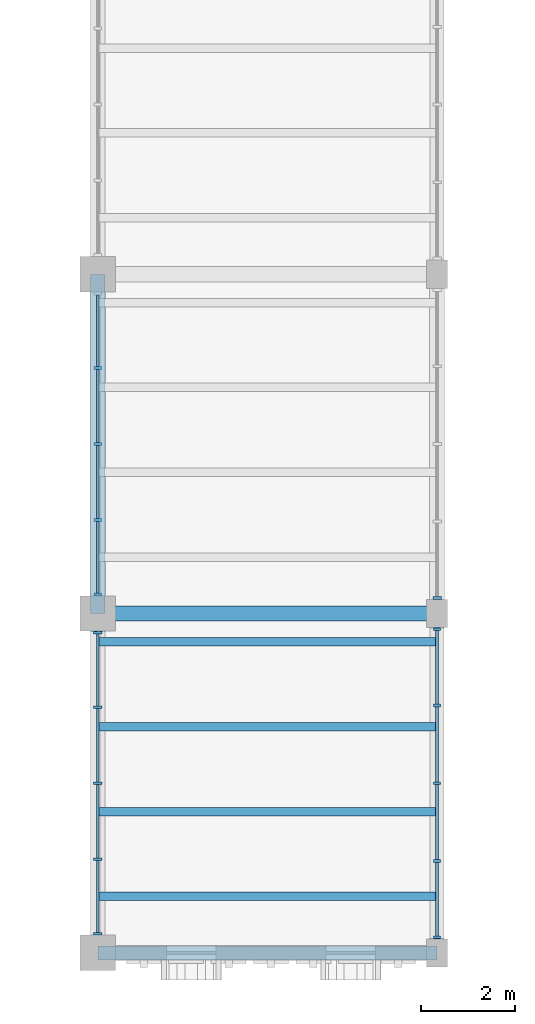
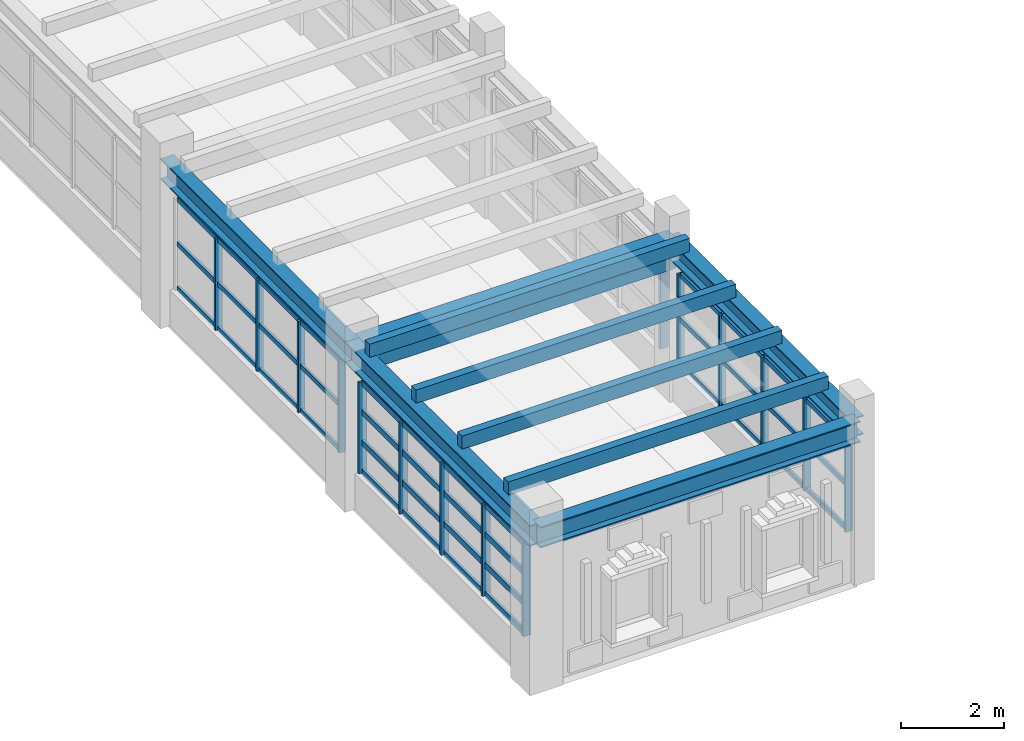
# One storey, part 3 of 69: 59 members, 5 beams, 4 elements without a shape of their own.
"""IFC4 building model written with IfcOpenShell, lengths in metres."""

from ifc_helpers import new_model, si_unit, direction, frame, origin, origin_2d, place, context, subcontext, project, spatial, rectangle, i_section, extrude, material, material_profile, profile_set, type_object, element, aggregate, save


model = new_model("IFC4")

# Units and contexts
model_context = context("Model", 3, precision=1e-05, world=origin(), true_north=direction((0.0, 1.0)))
body_context = subcontext(model_context, "Body", "Model", "MODEL_VIEW")
ifc_project = project(units=[si_unit("LENGTHUNIT", "METRE"), si_unit("AREAUNIT", "SQUARE_METRE"), si_unit("VOLUMEUNIT", "CUBIC_METRE"), si_unit("PLANEANGLEUNIT", "RADIAN"), si_unit("MASSUNIT", "GRAM", prefix="KILO")], contexts=[model_context])

# Site, building, storey
site_placement = place(None, origin())
site = spatial("IfcSite", under=ifc_project, at=site_placement, CompositionType="ELEMENT")
building_placement = place(site_placement, origin())
building = spatial("IfcBuilding", under=site, at=building_placement, Name="Nzembalo Square Collegiate School", CompositionType="ELEMENT")
storey_placement = place(building_placement, frame((0.0, 0.0, 5.10009765625)))
storey = spatial("IfcBuildingStorey", under=building, at=storey_placement, Name="L01", CompositionType="ELEMENT", Elevation=5.10009765625)

# Beams
ifc_material_1 = material(Name="Glulam GL32h", Category="wood")
ifc_material_profile_1 = material_profile(ifc_material_1, rectangle(XDim=0.320068359375, YDim=0.719970703125, at=origin_2d()), Name="GL32h 320x720")
ifc_profile_set_1 = profile_set([ifc_material_profile_1], Name="Glulam GL32h")
beam_type_1 = type_object("IfcBeamType", Name="B03", PredefinedType="BEAM", material=ifc_profile_set_1)
beam_1_placement = place(storey_placement, frame((30.0, 15.60009765625, 3.389892578125), z_axis=(1.0, 0.0, 0.0), x_axis=(0.0, 1.0, 0.0)))
element("IfcBeam", 1, at=beam_1_placement, inside=storey, type_object=beam_type_1, Name="Beam B03 L01", PredefinedType="BEAM", context=body_context, shape_type="SweptSolid", body=[
    extrude(rectangle(XDim=0.320068359375, YDim=0.719970703125, at=origin_2d()), origin(), (0.0, 0.0, 1.0), 7.199951171875),
])
ifc_material_2 = material(Name="Steel S355", Category="steel")
ifc_material_profile_2 = material_profile(ifc_material_2, i_section(OverallWidth=0.300048828125, OverallDepth=0.5, WebThickness=0.014404296875, FlangeThickness=0.028076171875, at=origin_2d()), Name="HEB 500")
ifc_profile_set_2 = profile_set([ifc_material_profile_2], Name="Steel S355")
beam_type_2 = type_object("IfcBeamType", Name="B07", PredefinedType="BEAM", material=ifc_profile_set_2)
beam_2_placement = place(storey_placement, frame((30.0, 8.39990234375, 3.5), z_axis=(1.0, 0.0, 0.0), x_axis=(0.0, 1.0, 0.0)))
element("IfcBeam", 2, at=beam_2_placement, inside=storey, type_object=beam_type_2, Name="Beam B07 L01", PredefinedType="BEAM", context=body_context, shape_type="SweptSolid", body=[
    extrude(i_section(OverallWidth=0.300048828125, OverallDepth=0.5, WebThickness=0.014404296875, FlangeThickness=0.028076171875, at=origin_2d()), origin(), (0.0, 0.0, 1.0), 7.199951171875),
])
beam_3_placement = place(storey_placement, frame((30.0, 8.39990234375, 3.5), z_axis=(0.0, 1.0, 0.0), x_axis=(-1.0, 0.0, 0.0)))
element("IfcBeam", 3, at=beam_3_placement, inside=storey, type_object=beam_type_2, Name="Beam B07 L01", PredefinedType="BEAM", context=body_context, shape_type="SweptSolid", body=[
    extrude(i_section(OverallWidth=0.300048828125, OverallDepth=0.5, WebThickness=0.014404296875, FlangeThickness=0.028076171875, at=origin_2d()), origin(), (0.0, 0.0, 1.0), 7.2001953125),
])
beam_4_placement = place(storey_placement, frame((30.0, 15.60009765625, 3.5), z_axis=(0.0, 1.0, 0.0), x_axis=(-1.0, 0.0, 0.0)))
element("IfcBeam", 4, at=beam_4_placement, inside=storey, type_object=beam_type_2, Name="Beam B07 L01", PredefinedType="BEAM", context=body_context, shape_type="SweptSolid", body=[
    extrude(i_section(OverallWidth=0.300048828125, OverallDepth=0.5, WebThickness=0.014404296875, FlangeThickness=0.028076171875, at=origin_2d()), origin(), (0.0, 0.0, 1.0), 7.199951171875),
])
ifc_material_3 = material(Name="Steel S355", Category="steel")
ifc_material_profile_3 = material_profile(ifc_material_3, i_section(OverallWidth=0.300048828125, OverallDepth=0.449951171875, WebThickness=0.013916015625, FlangeThickness=0.02587890625, at=origin_2d()), Name="HEB 450")
ifc_profile_set_3 = profile_set([ifc_material_profile_3], Name="Steel S355")
beam_type_3 = type_object("IfcBeamType", Name="B08", PredefinedType="BEAM", material=ifc_profile_set_3)
beam_5_placement = place(storey_placement, frame((37.199951171875, 8.39990234375, 3.52490234375), z_axis=(0.0, 1.0, 0.0), x_axis=(-1.0, 0.0, 0.0)))
element("IfcBeam", 5, at=beam_5_placement, inside=storey, type_object=beam_type_3, Name="Beam B08 L01", PredefinedType="BEAM", context=body_context, shape_type="SweptSolid", body=[
    extrude(i_section(OverallWidth=0.300048828125, OverallDepth=0.449951171875, WebThickness=0.013916015625, FlangeThickness=0.02587890625, at=origin_2d()), origin(), (0.0, 0.0, 1.0), 7.2001953125),
])

# Curtain wall, member
ifc_material_4 = material(Name="Aluminium 6060-T66", Category="aluminium")
curtain_wall_type_1 = type_object("IfcCurtainWallType", Name="CW-01", PredefinedType="USERDEFINED", material=ifc_material_4)
curtain_wall_1_placement = place(storey_placement, origin())
curtain_wall_1 = element("IfcCurtainWall", 6, at=curtain_wall_1_placement, inside=storey, type_object=curtain_wall_type_1, Name="Curtain wall CW-01 cw:L01:040", ObjectType="UNITISED", PredefinedType="USERDEFINED")
ifc_material_5 = material(Name="Aluminium 6060-T66", Category="aluminium")
ifc_material_profile_4 = material_profile(ifc_material_5, rectangle(XDim=0.06005859375, YDim=0.179931640625, at=origin_2d()), Name="ALU M60x180")
ifc_profile_set_4 = profile_set([ifc_material_profile_4], Name="Aluminium 6060-T66")
member_type_1 = type_object("IfcMemberType", Name="ML01", PredefinedType="MULLION", material=ifc_profile_set_4)
member_1_placement = place(storey_placement, frame((37.199951171875, 15.931884765625, 0.849853515625), z_axis=(0.0, 0.0, 1.0), x_axis=(0.0, 1.0, 0.0)))
member_1 = element("IfcMember", 7, at=member_1_placement, type_object=member_type_1, Name="ML01 mullion 1", PredefinedType="MULLION", context=body_context, shape_type="SweptSolid", body=[
    extrude(rectangle(XDim=0.06005859375, YDim=0.179931640625, at=origin_2d()), origin(), (0.0, 0.0, 1.0), 2.174072265625),
])
aggregate(curtain_wall_1, [member_1])

# Curtain wall, members
ifc_material_6 = material(Name="Aluminium 6060-T66", Category="aluminium")
curtain_wall_type_2 = type_object("IfcCurtainWallType", Name="CW-06", PredefinedType="USERDEFINED", material=ifc_material_6)
curtain_wall_2_placement = place(storey_placement, origin())
curtain_wall_2 = element("IfcCurtainWall", 8, at=curtain_wall_2_placement, inside=storey, type_object=curtain_wall_type_2, Name="Curtain wall CW-06 cw:L01:045", ObjectType="LANCET", PredefinedType="USERDEFINED")
member_2_placement = place(storey_placement, frame((30.0, 8.806884765625, 0.849853515625), z_axis=(0.0, 0.0, 1.0), x_axis=(0.0, 1.0, 0.0)))
member_2 = element("IfcMember", 9, at=member_2_placement, type_object=member_type_1, Name="ML01 mullion 1", PredefinedType="MULLION", context=body_context, shape_type="SweptSolid", body=[
    extrude(rectangle(XDim=0.06005859375, YDim=0.179931640625, at=origin_2d()), origin(), (0.0, 0.0, 1.0), 2.174072265625),
])
member_3_placement = place(storey_placement, frame((30.0, 10.388427734375, 0.849853515625), z_axis=(0.0, 0.0, 1.0), x_axis=(0.0, 1.0, 0.0)))
member_3 = element("IfcMember", 10, at=member_3_placement, type_object=member_type_1, Name="ML01 mullion 2", PredefinedType="MULLION", context=body_context, shape_type="SweptSolid", body=[
    extrude(rectangle(XDim=0.06005859375, YDim=0.179931640625, at=origin_2d()), origin(), (0.0, 0.0, 1.0), 2.174072265625),
])
member_4_placement = place(storey_placement, frame((30.0, 12.0, 0.849853515625), z_axis=(0.0, 0.0, 1.0), x_axis=(0.0, 1.0, 0.0)))
member_4 = element("IfcMember", 11, at=member_4_placement, type_object=member_type_1, Name="ML01 mullion 3", PredefinedType="MULLION", context=body_context, shape_type="SweptSolid", body=[
    extrude(rectangle(XDim=0.06005859375, YDim=0.179931640625, at=origin_2d()), origin(), (0.0, 0.0, 1.0), 2.174072265625),
])
member_5_placement = place(storey_placement, frame((30.0, 13.611572265625, 0.849853515625), z_axis=(0.0, 0.0, 1.0), x_axis=(0.0, 1.0, 0.0)))
member_5 = element("IfcMember", 12, at=member_5_placement, type_object=member_type_1, Name="ML01 mullion 4", PredefinedType="MULLION", context=body_context, shape_type="SweptSolid", body=[
    extrude(rectangle(XDim=0.06005859375, YDim=0.179931640625, at=origin_2d()), origin(), (0.0, 0.0, 1.0), 2.174072265625),
])
member_6_placement = place(storey_placement, frame((30.0, 15.193115234375, 0.849853515625), z_axis=(0.0, 0.0, 1.0), x_axis=(0.0, 1.0, 0.0)))
member_6 = element("IfcMember", 13, at=member_6_placement, type_object=member_type_1, Name="ML01 mullion 5", PredefinedType="MULLION", context=body_context, shape_type="SweptSolid", body=[
    extrude(rectangle(XDim=0.06005859375, YDim=0.179931640625, at=origin_2d()), origin(), (0.0, 0.0, 1.0), 2.174072265625),
])

ifc_material_7 = material(Name="Aluminium 6060-T66", Category="aluminium")
curtain_wall_type_3 = type_object("IfcCurtainWallType", Name="CW-08", PredefinedType="USERDEFINED", material=ifc_material_7)
curtain_wall_3_placement = place(storey_placement, origin())
curtain_wall_3 = element("IfcCurtainWall", 14, at=curtain_wall_3_placement, inside=storey, type_object=curtain_wall_type_3, Name="Curtain wall CW-08 cw:L01:039", ObjectType="LANCET", PredefinedType="USERDEFINED")
ifc_material_8 = material(Name="Aluminium 6060-T66", Category="aluminium")
ifc_material_profile_5 = material_profile(ifc_material_8, rectangle(XDim=0.06005859375, YDim=0.14990234375, at=origin_2d()), Name="ALU M60x150")
ifc_profile_set_5 = profile_set([ifc_material_profile_5], Name="Aluminium 6060-T66")
member_type_2 = type_object("IfcMemberType", Name="ML02", PredefinedType="MULLION", material=ifc_profile_set_5)
member_7_placement = place(storey_placement, frame((37.199951171875, 8.73193359375, 0.849853515625), z_axis=(0.0, 0.0, 1.0), x_axis=(0.0, 1.0, 0.0)))
member_7 = element("IfcMember", 15, at=member_7_placement, type_object=member_type_2, Name="ML02 mullion 1", PredefinedType="MULLION", context=body_context, shape_type="SweptSolid", body=[
    extrude(rectangle(XDim=0.06005859375, YDim=0.14990234375, at=origin_2d()), origin(), (0.0, 0.0, 1.0), 2.174072265625),
])
member_8_placement = place(storey_placement, frame((37.199951171875, 10.35107421875, 0.849853515625), z_axis=(0.0, 0.0, 1.0), x_axis=(0.0, 1.0, 0.0)))
member_8 = element("IfcMember", 16, at=member_8_placement, type_object=member_type_2, Name="ML02 mullion 2", PredefinedType="MULLION", context=body_context, shape_type="SweptSolid", body=[
    extrude(rectangle(XDim=0.06005859375, YDim=0.14990234375, at=origin_2d()), origin(), (0.0, 0.0, 1.0), 2.174072265625),
])
member_9_placement = place(storey_placement, frame((37.199951171875, 12.0, 0.849853515625), z_axis=(0.0, 0.0, 1.0), x_axis=(0.0, 1.0, 0.0)))
member_9 = element("IfcMember", 17, at=member_9_placement, type_object=member_type_2, Name="ML02 mullion 3", PredefinedType="MULLION", context=body_context, shape_type="SweptSolid", body=[
    extrude(rectangle(XDim=0.06005859375, YDim=0.14990234375, at=origin_2d()), origin(), (0.0, 0.0, 1.0), 2.174072265625),
])
member_10_placement = place(storey_placement, frame((37.199951171875, 13.64892578125, 0.849853515625), z_axis=(0.0, 0.0, 1.0), x_axis=(0.0, 1.0, 0.0)))
member_10 = element("IfcMember", 18, at=member_10_placement, type_object=member_type_2, Name="ML02 mullion 4", PredefinedType="MULLION", context=body_context, shape_type="SweptSolid", body=[
    extrude(rectangle(XDim=0.06005859375, YDim=0.14990234375, at=origin_2d()), origin(), (0.0, 0.0, 1.0), 2.174072265625),
])
member_11_placement = place(storey_placement, frame((37.199951171875, 15.26806640625, 0.849853515625), z_axis=(0.0, 0.0, 1.0), x_axis=(0.0, 1.0, 0.0)))
member_11 = element("IfcMember", 19, at=member_11_placement, type_object=member_type_2, Name="ML02 mullion 5", PredefinedType="MULLION", context=body_context, shape_type="SweptSolid", body=[
    extrude(rectangle(XDim=0.06005859375, YDim=0.14990234375, at=origin_2d()), origin(), (0.0, 0.0, 1.0), 2.174072265625),
])

ifc_material_9 = material(Name="Aluminium 6060-T66", Category="aluminium")
curtain_wall_type_4 = type_object("IfcCurtainWallType", Name="CW-07", PredefinedType="USERDEFINED", material=ifc_material_9)
curtain_wall_4_placement = place(storey_placement, origin())
curtain_wall_4 = element("IfcCurtainWall", 20, at=curtain_wall_4_placement, inside=storey, type_object=curtain_wall_type_4, Name="Curtain wall CW-07 cw:L01:046", ObjectType="LANCET", PredefinedType="USERDEFINED")
member_12_placement = place(storey_placement, frame((30.0, 16.007080078125, 0.849853515625), z_axis=(0.0, 0.0, 1.0), x_axis=(0.0, 1.0, 0.0)))
member_12 = element("IfcMember", 21, at=member_12_placement, type_object=member_type_2, Name="ML02 mullion 1", PredefinedType="MULLION", context=body_context, shape_type="SweptSolid", body=[
    extrude(rectangle(XDim=0.06005859375, YDim=0.14990234375, at=origin_2d()), origin(), (0.0, 0.0, 1.0), 2.174072265625),
])
member_13_placement = place(storey_placement, frame((30.0, 17.58837890625, 0.849853515625), z_axis=(0.0, 0.0, 1.0), x_axis=(0.0, 1.0, 0.0)))
member_13 = element("IfcMember", 22, at=member_13_placement, type_object=member_type_2, Name="ML02 mullion 2", PredefinedType="MULLION", context=body_context, shape_type="SweptSolid", body=[
    extrude(rectangle(XDim=0.06005859375, YDim=0.14990234375, at=origin_2d()), origin(), (0.0, 0.0, 1.0), 2.174072265625),
])
member_14_placement = place(storey_placement, frame((30.0, 19.199951171875, 0.849853515625), z_axis=(0.0, 0.0, 1.0), x_axis=(0.0, 1.0, 0.0)))
member_14 = element("IfcMember", 23, at=member_14_placement, type_object=member_type_2, Name="ML02 mullion 3", PredefinedType="MULLION", context=body_context, shape_type="SweptSolid", body=[
    extrude(rectangle(XDim=0.06005859375, YDim=0.14990234375, at=origin_2d()), origin(), (0.0, 0.0, 1.0), 2.174072265625),
])
member_15_placement = place(storey_placement, frame((30.0, 20.8115234375, 0.849853515625), z_axis=(0.0, 0.0, 1.0), x_axis=(0.0, 1.0, 0.0)))
member_15 = element("IfcMember", 24, at=member_15_placement, type_object=member_type_2, Name="ML02 mullion 4", PredefinedType="MULLION", context=body_context, shape_type="SweptSolid", body=[
    extrude(rectangle(XDim=0.06005859375, YDim=0.14990234375, at=origin_2d()), origin(), (0.0, 0.0, 1.0), 2.174072265625),
])

# Member
ifc_material_10 = material(Name="Aluminium 6060-T66", Category="aluminium")
ifc_material_profile_6 = material_profile(ifc_material_10, rectangle(XDim=0.06005859375, YDim=0.139892578125, at=origin_2d()), Name="ALU T60x140")
ifc_profile_set_6 = profile_set([ifc_material_profile_6], Name="Aluminium 6060-T66")
member_type_3 = type_object("IfcMemberType", Name="TR01", PredefinedType="USERDEFINED", material=ifc_profile_set_6)
member_16_placement = place(storey_placement, frame((30.0, 8.8369140625, 0.8798828125), z_axis=(0.0, 1.0, 0.0), x_axis=(-1.0, 0.0, 0.0)))
member_16 = element("IfcMember", 25, at=member_16_placement, type_object=member_type_3, Name="TR01 transom 1-1", ObjectType="TRANSOM", PredefinedType="USERDEFINED", context=body_context, shape_type="SweptSolid", body=[
    extrude(rectangle(XDim=0.06005859375, YDim=0.139892578125, at=origin_2d()), origin(), (0.0, 0.0, 1.0), 1.521484375),
])

member_17_placement = place(storey_placement, frame((30.0, 10.41845703125, 0.8798828125), z_axis=(0.0, 1.0, 0.0), x_axis=(-1.0, 0.0, 0.0)))
member_17 = element("IfcMember", 26, at=member_17_placement, type_object=member_type_3, Name="TR01 transom 1-2", ObjectType="TRANSOM", PredefinedType="USERDEFINED", context=body_context, shape_type="SweptSolid", body=[
    extrude(rectangle(XDim=0.06005859375, YDim=0.139892578125, at=origin_2d()), origin(), (0.0, 0.0, 1.0), 1.551513671875),
])

member_18_placement = place(storey_placement, frame((30.0, 12.030029296875, 0.8798828125), z_axis=(0.0, 1.0, 0.0), x_axis=(-1.0, 0.0, 0.0)))
member_18 = element("IfcMember", 27, at=member_18_placement, type_object=member_type_3, Name="TR01 transom 1-3", ObjectType="TRANSOM", PredefinedType="USERDEFINED", context=body_context, shape_type="SweptSolid", body=[
    extrude(rectangle(XDim=0.06005859375, YDim=0.139892578125, at=origin_2d()), origin(), (0.0, 0.0, 1.0), 1.551513671875),
])

member_19_placement = place(storey_placement, frame((30.0, 13.6416015625, 0.8798828125), z_axis=(0.0, 1.0, 0.0), x_axis=(-1.0, 0.0, 0.0)))
member_19 = element("IfcMember", 28, at=member_19_placement, type_object=member_type_3, Name="TR01 transom 1-4", ObjectType="TRANSOM", PredefinedType="USERDEFINED", context=body_context, shape_type="SweptSolid", body=[
    extrude(rectangle(XDim=0.06005859375, YDim=0.139892578125, at=origin_2d()), origin(), (0.0, 0.0, 1.0), 1.521484375),
])

member_20_placement = place(storey_placement, frame((30.0, 8.8369140625, 1.574462890625), z_axis=(0.0, 1.0, 0.0), x_axis=(-1.0, 0.0, 0.0)))
member_20 = element("IfcMember", 29, at=member_20_placement, type_object=member_type_3, Name="TR01 transom 2-1", ObjectType="TRANSOM", PredefinedType="USERDEFINED", context=body_context, shape_type="SweptSolid", body=[
    extrude(rectangle(XDim=0.06005859375, YDim=0.139892578125, at=origin_2d()), origin(), (0.0, 0.0, 1.0), 1.521484375),
])

member_21_placement = place(storey_placement, frame((30.0, 10.41845703125, 1.574462890625), z_axis=(0.0, 1.0, 0.0), x_axis=(-1.0, 0.0, 0.0)))
member_21 = element("IfcMember", 30, at=member_21_placement, type_object=member_type_3, Name="TR01 transom 2-2", ObjectType="TRANSOM", PredefinedType="USERDEFINED", context=body_context, shape_type="SweptSolid", body=[
    extrude(rectangle(XDim=0.06005859375, YDim=0.139892578125, at=origin_2d()), origin(), (0.0, 0.0, 1.0), 1.551513671875),
])

member_22_placement = place(storey_placement, frame((30.0, 12.030029296875, 1.574462890625), z_axis=(0.0, 1.0, 0.0), x_axis=(-1.0, 0.0, 0.0)))
member_22 = element("IfcMember", 31, at=member_22_placement, type_object=member_type_3, Name="TR01 transom 2-3", ObjectType="TRANSOM", PredefinedType="USERDEFINED", context=body_context, shape_type="SweptSolid", body=[
    extrude(rectangle(XDim=0.06005859375, YDim=0.139892578125, at=origin_2d()), origin(), (0.0, 0.0, 1.0), 1.551513671875),
])

member_23_placement = place(storey_placement, frame((30.0, 13.6416015625, 1.574462890625), z_axis=(0.0, 1.0, 0.0), x_axis=(-1.0, 0.0, 0.0)))
member_23 = element("IfcMember", 32, at=member_23_placement, type_object=member_type_3, Name="TR01 transom 2-4", ObjectType="TRANSOM", PredefinedType="USERDEFINED", context=body_context, shape_type="SweptSolid", body=[
    extrude(rectangle(XDim=0.06005859375, YDim=0.139892578125, at=origin_2d()), origin(), (0.0, 0.0, 1.0), 1.521484375),
])

member_24_placement = place(storey_placement, frame((30.0, 8.8369140625, 2.29931640625), z_axis=(0.0, 1.0, 0.0), x_axis=(-1.0, 0.0, 0.0)))
member_24 = element("IfcMember", 33, at=member_24_placement, type_object=member_type_3, Name="TR01 transom 3-1", ObjectType="TRANSOM", PredefinedType="USERDEFINED", context=body_context, shape_type="SweptSolid", body=[
    extrude(rectangle(XDim=0.06005859375, YDim=0.139892578125, at=origin_2d()), origin(), (0.0, 0.0, 1.0), 1.521484375),
])

member_25_placement = place(storey_placement, frame((30.0, 10.41845703125, 2.29931640625), z_axis=(0.0, 1.0, 0.0), x_axis=(-1.0, 0.0, 0.0)))
member_25 = element("IfcMember", 34, at=member_25_placement, type_object=member_type_3, Name="TR01 transom 3-2", ObjectType="TRANSOM", PredefinedType="USERDEFINED", context=body_context, shape_type="SweptSolid", body=[
    extrude(rectangle(XDim=0.06005859375, YDim=0.139892578125, at=origin_2d()), origin(), (0.0, 0.0, 1.0), 1.551513671875),
])

member_26_placement = place(storey_placement, frame((30.0, 12.030029296875, 2.29931640625), z_axis=(0.0, 1.0, 0.0), x_axis=(-1.0, 0.0, 0.0)))
member_26 = element("IfcMember", 35, at=member_26_placement, type_object=member_type_3, Name="TR01 transom 3-3", ObjectType="TRANSOM", PredefinedType="USERDEFINED", context=body_context, shape_type="SweptSolid", body=[
    extrude(rectangle(XDim=0.06005859375, YDim=0.139892578125, at=origin_2d()), origin(), (0.0, 0.0, 1.0), 1.551513671875),
])

member_27_placement = place(storey_placement, frame((30.0, 13.6416015625, 2.29931640625), z_axis=(0.0, 1.0, 0.0), x_axis=(-1.0, 0.0, 0.0)))
member_27 = element("IfcMember", 36, at=member_27_placement, type_object=member_type_3, Name="TR01 transom 3-4", ObjectType="TRANSOM", PredefinedType="USERDEFINED", context=body_context, shape_type="SweptSolid", body=[
    extrude(rectangle(XDim=0.06005859375, YDim=0.139892578125, at=origin_2d()), origin(), (0.0, 0.0, 1.0), 1.521484375),
])

member_28_placement = place(storey_placement, frame((30.0, 8.8369140625, 2.993896484375), z_axis=(0.0, 1.0, 0.0), x_axis=(-1.0, 0.0, 0.0)))
member_28 = element("IfcMember", 37, at=member_28_placement, type_object=member_type_3, Name="TR01 transom 4-1", ObjectType="TRANSOM", PredefinedType="USERDEFINED", context=body_context, shape_type="SweptSolid", body=[
    extrude(rectangle(XDim=0.06005859375, YDim=0.139892578125, at=origin_2d()), origin(), (0.0, 0.0, 1.0), 1.521484375),
])

member_29_placement = place(storey_placement, frame((30.0, 10.41845703125, 2.993896484375), z_axis=(0.0, 1.0, 0.0), x_axis=(-1.0, 0.0, 0.0)))
member_29 = element("IfcMember", 38, at=member_29_placement, type_object=member_type_3, Name="TR01 transom 4-2", ObjectType="TRANSOM", PredefinedType="USERDEFINED", context=body_context, shape_type="SweptSolid", body=[
    extrude(rectangle(XDim=0.06005859375, YDim=0.139892578125, at=origin_2d()), origin(), (0.0, 0.0, 1.0), 1.551513671875),
])

member_30_placement = place(storey_placement, frame((30.0, 12.030029296875, 2.993896484375), z_axis=(0.0, 1.0, 0.0), x_axis=(-1.0, 0.0, 0.0)))
member_30 = element("IfcMember", 39, at=member_30_placement, type_object=member_type_3, Name="TR01 transom 4-3", ObjectType="TRANSOM", PredefinedType="USERDEFINED", context=body_context, shape_type="SweptSolid", body=[
    extrude(rectangle(XDim=0.06005859375, YDim=0.139892578125, at=origin_2d()), origin(), (0.0, 0.0, 1.0), 1.551513671875),
])

member_31_placement = place(storey_placement, frame((30.0, 13.6416015625, 2.993896484375), z_axis=(0.0, 1.0, 0.0), x_axis=(-1.0, 0.0, 0.0)))
member_31 = element("IfcMember", 40, at=member_31_placement, type_object=member_type_3, Name="TR01 transom 4-4", ObjectType="TRANSOM", PredefinedType="USERDEFINED", context=body_context, shape_type="SweptSolid", body=[
    extrude(rectangle(XDim=0.06005859375, YDim=0.139892578125, at=origin_2d()), origin(), (0.0, 0.0, 1.0), 1.521484375),
])

aggregate(curtain_wall_2, [member_2, member_3, member_4, member_5, member_6, member_16, member_17, member_18, member_19, member_20, member_21, member_22, member_23, member_24, member_25, member_26, member_27, member_28, member_29, member_30, member_31])

ifc_material_11 = material(Name="Aluminium 6060-T66", Category="aluminium")
ifc_material_profile_7 = material_profile(ifc_material_11, rectangle(XDim=0.06005859375, YDim=0.110107421875, at=origin_2d()), Name="ALU T60x110")
ifc_profile_set_7 = profile_set([ifc_material_profile_7], Name="Aluminium 6060-T66")
member_type_4 = type_object("IfcMemberType", Name="TR02", PredefinedType="USERDEFINED", material=ifc_profile_set_7)
member_32_placement = place(storey_placement, frame((37.199951171875, 8.761962890625, 0.8798828125), z_axis=(0.0, 1.0, 0.0), x_axis=(-1.0, 0.0, 0.0)))
member_32 = element("IfcMember", 41, at=member_32_placement, type_object=member_type_4, Name="TR02 transom 1-1", ObjectType="TRANSOM", PredefinedType="USERDEFINED", context=body_context, shape_type="SweptSolid", body=[
    extrude(rectangle(XDim=0.06005859375, YDim=0.110107421875, at=origin_2d()), origin(), (0.0, 0.0, 1.0), 1.55908203125),
])

member_33_placement = place(storey_placement, frame((37.199951171875, 10.381103515625, 0.8798828125), z_axis=(0.0, 1.0, 0.0), x_axis=(-1.0, 0.0, 0.0)))
member_33 = element("IfcMember", 42, at=member_33_placement, type_object=member_type_4, Name="TR02 transom 1-2", ObjectType="TRANSOM", PredefinedType="USERDEFINED", context=body_context, shape_type="SweptSolid", body=[
    extrude(rectangle(XDim=0.06005859375, YDim=0.110107421875, at=origin_2d()), origin(), (0.0, 0.0, 1.0), 1.5888671875),
])

member_34_placement = place(storey_placement, frame((37.199951171875, 12.030029296875, 0.8798828125), z_axis=(0.0, 1.0, 0.0), x_axis=(-1.0, 0.0, 0.0)))
member_34 = element("IfcMember", 43, at=member_34_placement, type_object=member_type_4, Name="TR02 transom 1-3", ObjectType="TRANSOM", PredefinedType="USERDEFINED", context=body_context, shape_type="SweptSolid", body=[
    extrude(rectangle(XDim=0.06005859375, YDim=0.110107421875, at=origin_2d()), origin(), (0.0, 0.0, 1.0), 1.5888671875),
])

member_35_placement = place(storey_placement, frame((37.199951171875, 13.678955078125, 0.8798828125), z_axis=(0.0, 1.0, 0.0), x_axis=(-1.0, 0.0, 0.0)))
member_35 = element("IfcMember", 44, at=member_35_placement, type_object=member_type_4, Name="TR02 transom 1-4", ObjectType="TRANSOM", PredefinedType="USERDEFINED", context=body_context, shape_type="SweptSolid", body=[
    extrude(rectangle(XDim=0.06005859375, YDim=0.110107421875, at=origin_2d()), origin(), (0.0, 0.0, 1.0), 1.55908203125),
])

member_36_placement = place(storey_placement, frame((37.199951171875, 8.761962890625, 1.93701171875), z_axis=(0.0, 1.0, 0.0), x_axis=(-1.0, 0.0, 0.0)))
member_36 = element("IfcMember", 45, at=member_36_placement, type_object=member_type_4, Name="TR02 transom 2-1", ObjectType="TRANSOM", PredefinedType="USERDEFINED", context=body_context, shape_type="SweptSolid", body=[
    extrude(rectangle(XDim=0.06005859375, YDim=0.110107421875, at=origin_2d()), origin(), (0.0, 0.0, 1.0), 1.55908203125),
])

member_37_placement = place(storey_placement, frame((37.199951171875, 10.381103515625, 1.93701171875), z_axis=(0.0, 1.0, 0.0), x_axis=(-1.0, 0.0, 0.0)))
member_37 = element("IfcMember", 46, at=member_37_placement, type_object=member_type_4, Name="TR02 transom 2-2", ObjectType="TRANSOM", PredefinedType="USERDEFINED", context=body_context, shape_type="SweptSolid", body=[
    extrude(rectangle(XDim=0.06005859375, YDim=0.110107421875, at=origin_2d()), origin(), (0.0, 0.0, 1.0), 1.5888671875),
])

member_38_placement = place(storey_placement, frame((37.199951171875, 12.030029296875, 1.93701171875), z_axis=(0.0, 1.0, 0.0), x_axis=(-1.0, 0.0, 0.0)))
member_38 = element("IfcMember", 47, at=member_38_placement, type_object=member_type_4, Name="TR02 transom 2-3", ObjectType="TRANSOM", PredefinedType="USERDEFINED", context=body_context, shape_type="SweptSolid", body=[
    extrude(rectangle(XDim=0.06005859375, YDim=0.110107421875, at=origin_2d()), origin(), (0.0, 0.0, 1.0), 1.5888671875),
])

member_39_placement = place(storey_placement, frame((37.199951171875, 13.678955078125, 1.93701171875), z_axis=(0.0, 1.0, 0.0), x_axis=(-1.0, 0.0, 0.0)))
member_39 = element("IfcMember", 48, at=member_39_placement, type_object=member_type_4, Name="TR02 transom 2-4", ObjectType="TRANSOM", PredefinedType="USERDEFINED", context=body_context, shape_type="SweptSolid", body=[
    extrude(rectangle(XDim=0.06005859375, YDim=0.110107421875, at=origin_2d()), origin(), (0.0, 0.0, 1.0), 1.55908203125),
])

member_40_placement = place(storey_placement, frame((37.199951171875, 8.761962890625, 2.993896484375), z_axis=(0.0, 1.0, 0.0), x_axis=(-1.0, 0.0, 0.0)))
member_40 = element("IfcMember", 49, at=member_40_placement, type_object=member_type_4, Name="TR02 transom 3-1", ObjectType="TRANSOM", PredefinedType="USERDEFINED", context=body_context, shape_type="SweptSolid", body=[
    extrude(rectangle(XDim=0.06005859375, YDim=0.110107421875, at=origin_2d()), origin(), (0.0, 0.0, 1.0), 1.55908203125),
])

member_41_placement = place(storey_placement, frame((37.199951171875, 10.381103515625, 2.993896484375), z_axis=(0.0, 1.0, 0.0), x_axis=(-1.0, 0.0, 0.0)))
member_41 = element("IfcMember", 50, at=member_41_placement, type_object=member_type_4, Name="TR02 transom 3-2", ObjectType="TRANSOM", PredefinedType="USERDEFINED", context=body_context, shape_type="SweptSolid", body=[
    extrude(rectangle(XDim=0.06005859375, YDim=0.110107421875, at=origin_2d()), origin(), (0.0, 0.0, 1.0), 1.5888671875),
])

member_42_placement = place(storey_placement, frame((37.199951171875, 12.030029296875, 2.993896484375), z_axis=(0.0, 1.0, 0.0), x_axis=(-1.0, 0.0, 0.0)))
member_42 = element("IfcMember", 51, at=member_42_placement, type_object=member_type_4, Name="TR02 transom 3-3", ObjectType="TRANSOM", PredefinedType="USERDEFINED", context=body_context, shape_type="SweptSolid", body=[
    extrude(rectangle(XDim=0.06005859375, YDim=0.110107421875, at=origin_2d()), origin(), (0.0, 0.0, 1.0), 1.5888671875),
])

member_43_placement = place(storey_placement, frame((37.199951171875, 13.678955078125, 2.993896484375), z_axis=(0.0, 1.0, 0.0), x_axis=(-1.0, 0.0, 0.0)))
member_43 = element("IfcMember", 52, at=member_43_placement, type_object=member_type_4, Name="TR02 transom 3-4", ObjectType="TRANSOM", PredefinedType="USERDEFINED", context=body_context, shape_type="SweptSolid", body=[
    extrude(rectangle(XDim=0.06005859375, YDim=0.110107421875, at=origin_2d()), origin(), (0.0, 0.0, 1.0), 1.55908203125),
])

aggregate(curtain_wall_3, [member_7, member_8, member_9, member_10, member_11, member_32, member_33, member_34, member_35, member_36, member_37, member_38, member_39, member_40, member_41, member_42, member_43])

member_44_placement = place(storey_placement, frame((30.0, 16.037109375, 0.8798828125), z_axis=(0.0, 1.0, 0.0), x_axis=(-1.0, 0.0, 0.0)))
member_44 = element("IfcMember", 53, at=member_44_placement, type_object=member_type_4, Name="TR02 transom 1-1", ObjectType="TRANSOM", PredefinedType="USERDEFINED", context=body_context, shape_type="SweptSolid", body=[
    extrude(rectangle(XDim=0.06005859375, YDim=0.110107421875, at=origin_2d()), origin(), (0.0, 0.0, 1.0), 1.521484375),
])

member_45_placement = place(storey_placement, frame((30.0, 17.618408203125, 0.8798828125), z_axis=(0.0, 1.0, 0.0), x_axis=(-1.0, 0.0, 0.0)))
member_45 = element("IfcMember", 54, at=member_45_placement, type_object=member_type_4, Name="TR02 transom 1-2", ObjectType="TRANSOM", PredefinedType="USERDEFINED", context=body_context, shape_type="SweptSolid", body=[
    extrude(rectangle(XDim=0.06005859375, YDim=0.110107421875, at=origin_2d()), origin(), (0.0, 0.0, 1.0), 1.551513671875),
])

member_46_placement = place(storey_placement, frame((30.0, 19.22998046875, 0.8798828125), z_axis=(0.0, 1.0, 0.0), x_axis=(-1.0, 0.0, 0.0)))
member_46 = element("IfcMember", 55, at=member_46_placement, type_object=member_type_4, Name="TR02 transom 1-3", ObjectType="TRANSOM", PredefinedType="USERDEFINED", context=body_context, shape_type="SweptSolid", body=[
    extrude(rectangle(XDim=0.06005859375, YDim=0.110107421875, at=origin_2d()), origin(), (0.0, 0.0, 1.0), 1.551513671875),
])

member_47_placement = place(storey_placement, frame((30.0, 20.841552734375, 0.8798828125), z_axis=(0.0, 1.0, 0.0), x_axis=(-1.0, 0.0, 0.0)))
member_47 = element("IfcMember", 56, at=member_47_placement, type_object=member_type_4, Name="TR02 transom 1-4", ObjectType="TRANSOM", PredefinedType="USERDEFINED", context=body_context, shape_type="SweptSolid", body=[
    extrude(rectangle(XDim=0.06005859375, YDim=0.110107421875, at=origin_2d()), origin(), (0.0, 0.0, 1.0), 1.521484375),
])

member_48_placement = place(storey_placement, frame((30.0, 16.037109375, 1.93701171875), z_axis=(0.0, 1.0, 0.0), x_axis=(-1.0, 0.0, 0.0)))
member_48 = element("IfcMember", 57, at=member_48_placement, type_object=member_type_4, Name="TR02 transom 2-1", ObjectType="TRANSOM", PredefinedType="USERDEFINED", context=body_context, shape_type="SweptSolid", body=[
    extrude(rectangle(XDim=0.06005859375, YDim=0.110107421875, at=origin_2d()), origin(), (0.0, 0.0, 1.0), 1.521484375),
])

member_49_placement = place(storey_placement, frame((30.0, 17.618408203125, 1.93701171875), z_axis=(0.0, 1.0, 0.0), x_axis=(-1.0, 0.0, 0.0)))
member_49 = element("IfcMember", 58, at=member_49_placement, type_object=member_type_4, Name="TR02 transom 2-2", ObjectType="TRANSOM", PredefinedType="USERDEFINED", context=body_context, shape_type="SweptSolid", body=[
    extrude(rectangle(XDim=0.06005859375, YDim=0.110107421875, at=origin_2d()), origin(), (0.0, 0.0, 1.0), 1.551513671875),
])

member_50_placement = place(storey_placement, frame((30.0, 19.22998046875, 1.93701171875), z_axis=(0.0, 1.0, 0.0), x_axis=(-1.0, 0.0, 0.0)))
member_50 = element("IfcMember", 59, at=member_50_placement, type_object=member_type_4, Name="TR02 transom 2-3", ObjectType="TRANSOM", PredefinedType="USERDEFINED", context=body_context, shape_type="SweptSolid", body=[
    extrude(rectangle(XDim=0.06005859375, YDim=0.110107421875, at=origin_2d()), origin(), (0.0, 0.0, 1.0), 1.551513671875),
])

member_51_placement = place(storey_placement, frame((30.0, 20.841552734375, 1.93701171875), z_axis=(0.0, 1.0, 0.0), x_axis=(-1.0, 0.0, 0.0)))
member_51 = element("IfcMember", 60, at=member_51_placement, type_object=member_type_4, Name="TR02 transom 2-4", ObjectType="TRANSOM", PredefinedType="USERDEFINED", context=body_context, shape_type="SweptSolid", body=[
    extrude(rectangle(XDim=0.06005859375, YDim=0.110107421875, at=origin_2d()), origin(), (0.0, 0.0, 1.0), 1.521484375),
])

member_52_placement = place(storey_placement, frame((30.0, 16.037109375, 2.993896484375), z_axis=(0.0, 1.0, 0.0), x_axis=(-1.0, 0.0, 0.0)))
member_52 = element("IfcMember", 61, at=member_52_placement, type_object=member_type_4, Name="TR02 transom 3-1", ObjectType="TRANSOM", PredefinedType="USERDEFINED", context=body_context, shape_type="SweptSolid", body=[
    extrude(rectangle(XDim=0.06005859375, YDim=0.110107421875, at=origin_2d()), origin(), (0.0, 0.0, 1.0), 1.521484375),
])

member_53_placement = place(storey_placement, frame((30.0, 17.618408203125, 2.993896484375), z_axis=(0.0, 1.0, 0.0), x_axis=(-1.0, 0.0, 0.0)))
member_53 = element("IfcMember", 62, at=member_53_placement, type_object=member_type_4, Name="TR02 transom 3-2", ObjectType="TRANSOM", PredefinedType="USERDEFINED", context=body_context, shape_type="SweptSolid", body=[
    extrude(rectangle(XDim=0.06005859375, YDim=0.110107421875, at=origin_2d()), origin(), (0.0, 0.0, 1.0), 1.551513671875),
])

member_54_placement = place(storey_placement, frame((30.0, 19.22998046875, 2.993896484375), z_axis=(0.0, 1.0, 0.0), x_axis=(-1.0, 0.0, 0.0)))
member_54 = element("IfcMember", 63, at=member_54_placement, type_object=member_type_4, Name="TR02 transom 3-3", ObjectType="TRANSOM", PredefinedType="USERDEFINED", context=body_context, shape_type="SweptSolid", body=[
    extrude(rectangle(XDim=0.06005859375, YDim=0.110107421875, at=origin_2d()), origin(), (0.0, 0.0, 1.0), 1.551513671875),
])

member_55_placement = place(storey_placement, frame((30.0, 20.841552734375, 2.993896484375), z_axis=(0.0, 1.0, 0.0), x_axis=(-1.0, 0.0, 0.0)))
member_55 = element("IfcMember", 64, at=member_55_placement, type_object=member_type_4, Name="TR02 transom 3-4", ObjectType="TRANSOM", PredefinedType="USERDEFINED", context=body_context, shape_type="SweptSolid", body=[
    extrude(rectangle(XDim=0.06005859375, YDim=0.110107421875, at=origin_2d()), origin(), (0.0, 0.0, 1.0), 1.521484375),
])

aggregate(curtain_wall_4, [member_12, member_13, member_14, member_15, member_44, member_45, member_46, member_47, member_48, member_49, member_50, member_51, member_52, member_53, member_54, member_55])

# Members
ifc_material_12 = material(Name="Glulam GL28h", Category="wood")
ifc_material_profile_8 = material_profile(ifc_material_12, rectangle(XDim=0.179931640625, YDim=0.320068359375, at=origin_2d()), Name="GL28h 180x320")
ifc_profile_set_8 = profile_set([ifc_material_profile_8], Name="Glulam GL28h")
member_type_5 = type_object("IfcMemberType", Name="PR01", PredefinedType="PURLIN", material=ifc_profile_set_8)
for number, where, z_axis, x_axis, name in (
    (65, (30.0, 9.60009765625, 3.89990234375), (1.0, 0.0, 0.0), (0.0, 1.0, 0.0), "Planted roof purlin PR01-GA-01"),
    (66, (30.0, 11.39990234375, 3.89990234375), (1.0, 0.0, 0.0), (0.0, 1.0, 0.0), "Planted roof purlin PR01-GA-02"),
    (67, (30.0, 13.199951171875, 3.89990234375), (1.0, 0.0, 0.0), (0.0, 1.0, 0.0), "Planted roof purlin PR01-GA-03"),
    (68, (30.0, 15.0, 3.89990234375), (1.0, 0.0, 0.0), (0.0, 1.0, 0.0), "Planted roof purlin PR01-GA-04"),
):
    element("IfcMember", number, at=place(storey_placement, frame(where, z_axis=z_axis, x_axis=x_axis)), inside=storey, type_object=member_type_5, Name=name, PredefinedType="PURLIN", context=body_context, shape_type="SweptSolid", body=[
        extrude(rectangle(XDim=0.179931640625, YDim=0.320068359375, at=origin_2d()), origin(), (0.0, 0.0, 1.0), 7.199951171875),
    ])

save(model, "model.ifc")
